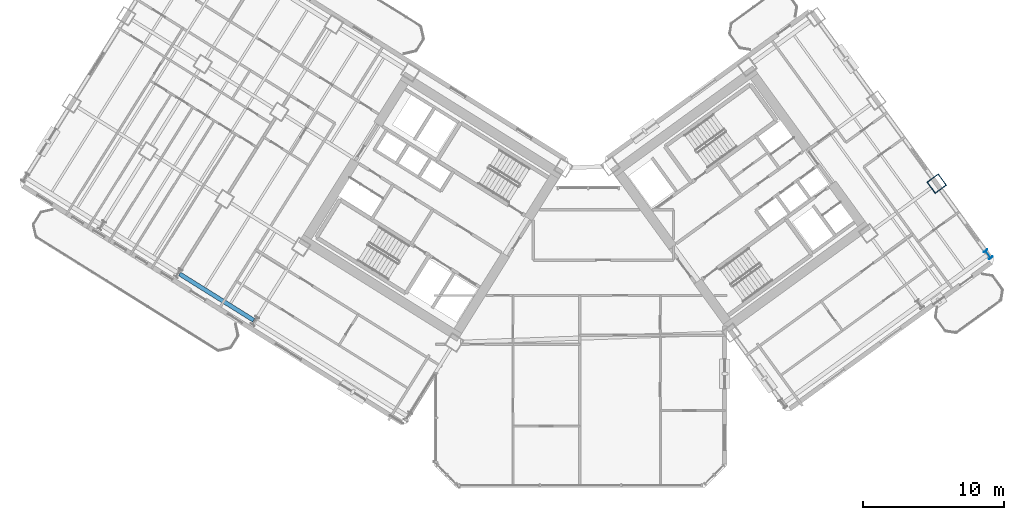
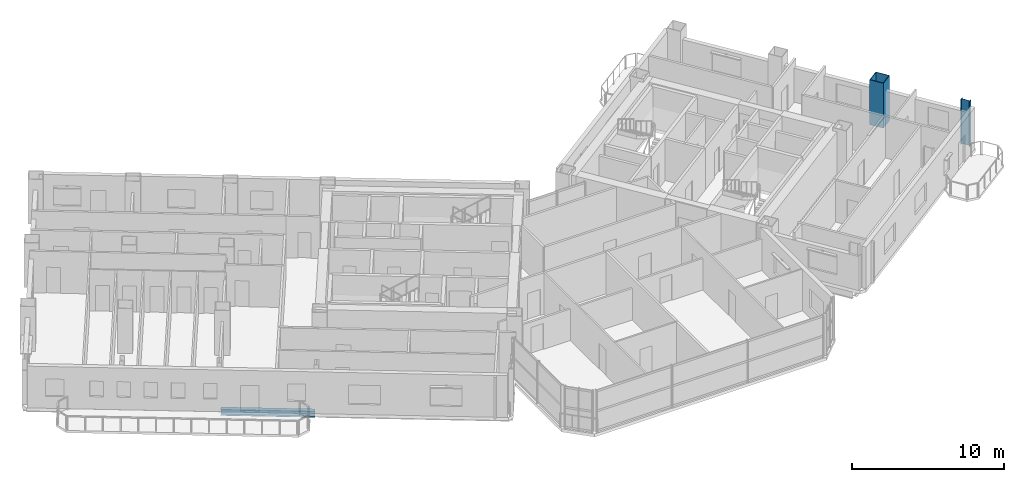
# One storey, part 4 of 24: 2 columns, 1 beam.
"""IFC4 building model written with IfcOpenShell, lengths in metres."""

from ifc_helpers import new_model, si_unit, direction, frame, origin, origin_2d, place, context, subcontext, project, spatial, hollow_rectangle, i_section, extrude, source, transform, mapped, material, material_profile, profile_set, type_object, element, save


model = new_model("IFC4")

# Units and contexts
model_context = context("Model", 3, precision=1e-05, world=origin(), true_north=direction((0.0, 1.0)))
body_context = subcontext(model_context, "Body", "Model", "MODEL_VIEW")
ifc_project = project(units=[si_unit("LENGTHUNIT", "METRE"), si_unit("AREAUNIT", "SQUARE_METRE"), si_unit("VOLUMEUNIT", "CUBIC_METRE"), si_unit("PLANEANGLEUNIT", "RADIAN"), si_unit("MASSUNIT", "GRAM", prefix="KILO")], contexts=[model_context])

# Site, building, storey
site_placement = place(None, origin())
site = spatial("IfcSite", under=ifc_project, at=site_placement, CompositionType="ELEMENT")
building_placement = place(site_placement, origin())
building = spatial("IfcBuilding", under=site, at=building_placement, Name="Tlacorven Tower", CompositionType="ELEMENT")
storey_placement = place(building_placement, frame((0.0, 0.0, 31.199951171875)))
storey = spatial("IfcBuildingStorey", under=building, at=storey_placement, Name="L07", CompositionType="ELEMENT", Elevation=31.199951171875)

# Columns
ifc_material_1 = material(Name="Steel S460M", Category="steel")
ifc_material_profile_1 = material_profile(ifc_material_1, hollow_rectangle(XDim=1.0, YDim=1.0, WallThickness=0.0400390625, at=origin_2d()), Name="BOX 1000X1000X40")
ifc_profile_set_1 = profile_set([ifc_material_profile_1], Name="Steel S460M")
column_type_1 = type_object("IfcColumnType", Name="COL-TWR-S1", PredefinedType="COLUMN", material=ifc_profile_set_1)
shared_shape_1 = source(origin(), body_context, "Body", "SweptSolid", [
    extrude(hollow_rectangle(XDim=1.0, YDim=1.0, WallThickness=0.0400390625, at=origin_2d()), origin(), (0.0, 0.0, 1.0), 3.60009765625),
])
column_1_placement = place(storey_placement, frame((67.267822265625, 23.353515625, 0.0), z_axis=(0.0, 0.0, 1.0), x_axis=(0.809016994375, 0.587785252292, 0.0)))
element("IfcColumn", 1, at=column_1_placement, inside=storey, type_object=column_type_1, Name="L07 column COL-L07-E4-2", PredefinedType="COLUMN", context=body_context, shape_type="MappedRepresentation", body=[
    mapped(shared_shape_1, transform((0.0, 0.0, 0.0), scale=1.0)),
])
ifc_material_profile_2 = material_profile(ifc_material_1, i_section(OverallWidth=0.300048828125, OverallDepth=0.64990234375, WebThickness=0.01611328125, FlangeThickness=0.031005859375, at=origin_2d()), Name="HEB 650")
ifc_profile_set_2 = profile_set([ifc_material_profile_2], Name="Steel S460M")
column_type_2 = type_object("IfcColumnType", Name="COL-TWR-P1", PredefinedType="COLUMN", material=ifc_profile_set_2)
shared_shape_2 = source(origin(), body_context, "Body", "SweptSolid", [
    extrude(i_section(OverallWidth=0.300048828125, OverallDepth=0.64990234375, WebThickness=0.01611328125, FlangeThickness=0.031005859375, at=origin_2d()), origin(), (0.0, 0.0, 1.0), 3.60009765625),
])
column_2_placement = place(storey_placement, frame((70.911865234375, 18.337646484375, 0.0), z_axis=(0.0, 0.0, 1.0), x_axis=(0.809016994375, 0.587785252292, 0.0)))
element("IfcColumn", 2, at=column_2_placement, inside=storey, type_object=column_type_2, Name="L07 column COL-L07-E4-1", PredefinedType="COLUMN", context=body_context, shape_type="MappedRepresentation", body=[
    mapped(shared_shape_2, transform((0.0, 0.0, 0.0), scale=1.0)),
])

# Beam
ifc_material_2 = material(Name="Steel S355J2", Category="steel")
ifc_material_profile_3 = material_profile(ifc_material_2, i_section(OverallWidth=0.300048828125, OverallDepth=0.489990234375, WebThickness=0.011962890625, FlangeThickness=0.02294921875, at=origin_2d()), Name="HEA 500")
ifc_profile_set_3 = profile_set([ifc_material_profile_3], Name="Steel S355J2")
beam_type = type_object("IfcBeamType", Name="BM-SPN-500", PredefinedType="SPANDREL", material=ifc_profile_set_3)
shared_shape_3 = source(origin(), body_context, "Body", "SweptSolid", [
    extrude(i_section(OverallWidth=0.300048828125, OverallDepth=0.489990234375, WebThickness=0.011962890625, FlangeThickness=0.02294921875, at=origin_2d()), origin(), (0.0, 0.0, 1.0), 6.199951171875),
])
beam_placement = place(storey_placement, frame((18.82080078125, 13.6650390625, -0.494873046875), z_axis=(-0.848051394107, 0.529913986372, 0.0), x_axis=(-0.529913986372, -0.848051394107, 0.0)))
element("IfcBeam", 3, at=beam_placement, inside=storey, type_object=beam_type, Name="L07 beam BM-L07-WL4-3", PredefinedType="SPANDREL", context=body_context, shape_type="MappedRepresentation", body=[
    mapped(shared_shape_3, transform((0.0, 0.0, 0.0), scale=1.0)),
])

save(model, "model.ifc")
